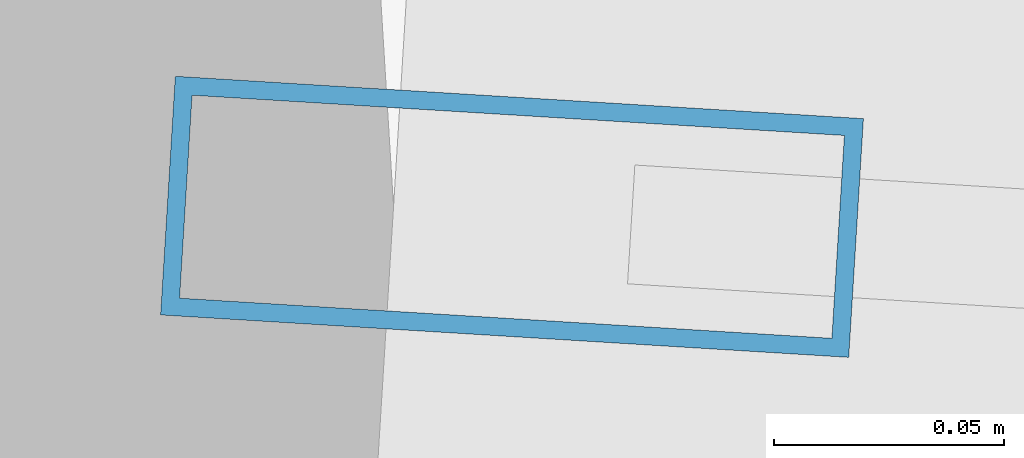
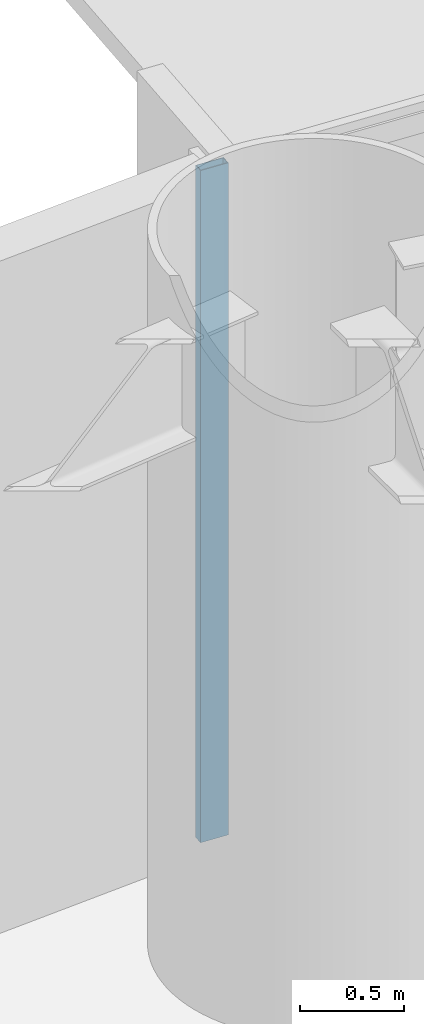
# One storey, part 4 of 21: 1 member, 1 element without a shape of its own.
"""IFC4 building model written with IfcOpenShell, lengths in metres."""

from ifc_helpers import new_model, si_unit, direction, frame, origin, origin_2d, place, context, subcontext, project, spatial, hollow_rectangle, extrude, source, transform, mapped, material, layer, layer_set, material_profile, profile_set, type_object, element, aggregate, save


model = new_model("IFC4")

# Units and contexts
model_context = context("Model", 3, precision=1e-05, world=origin(), true_north=direction((0.0, 1.0)))
body_context = subcontext(model_context, "Body", "Model", "MODEL_VIEW")
ifc_project = project(units=[si_unit("LENGTHUNIT", "METRE"), si_unit("AREAUNIT", "SQUARE_METRE"), si_unit("VOLUMEUNIT", "CUBIC_METRE"), si_unit("PLANEANGLEUNIT", "RADIAN"), si_unit("MASSUNIT", "GRAM", prefix="KILO")], contexts=[model_context])

# Site, building, storey
site_placement = place(None, origin())
site = spatial("IfcSite", under=ifc_project, at=site_placement, CompositionType="ELEMENT")
building_placement = place(site_placement, origin())
building = spatial("IfcBuilding", under=site, at=building_placement, Name="Linh Dai School and Residence Tower", CompositionType="ELEMENT")
storey_placement = place(building_placement, frame((0.0, 0.0, 61.800048828125)))
storey = spatial("IfcBuildingStorey", under=building, at=storey_placement, Name="L14", CompositionType="ELEMENT", Elevation=61.800048828125)

# Curtain wall, member
ifc_material_1 = material(Name="Aluminium Anodised Curtain Wall", Category="aluminium")
ifc_layer = layer(ifc_material_1, 0.14990234375)
ifc_layer_set = layer_set([ifc_layer], Name="Aluminium Anodised Curtain Wall")
curtain_wall_type = type_object("IfcCurtainWallType", Name="CW-SYS-4", PredefinedType="USERDEFINED", material=ifc_layer_set)
curtain_wall_placement = place(storey_placement, origin())
curtain_wall = element("IfcCurtainWall", 1, at=curtain_wall_placement, inside=storey, type_object=curtain_wall_type, Name="L14 CW4 Curtain Wall 10", ObjectType="RIBBON CURTAIN WALL", PredefinedType="USERDEFINED")
ifc_material_2 = material(Name="Aluminium Alloy 6063-T6", Category="aluminium")
ifc_material_profile = material_profile(ifc_material_2, hollow_rectangle(XDim=0.052001953125, YDim=0.14990234375, WallThickness=0.00390625, at=origin_2d()), Name="RHS 150x52x4")
ifc_profile_set = profile_set([ifc_material_profile], Name="Aluminium Alloy 6063-T6")
member_type = type_object("IfcMemberType", Name="CW-SYS-4-MUL", PredefinedType="MULLION", material=ifc_profile_set)
shared_shape = source(origin(), body_context, "Body", "SweptSolid", [
    extrude(hollow_rectangle(XDim=0.052001953125, YDim=0.14990234375, WallThickness=0.00390625, at=origin_2d()), origin(), (0.0, 0.0, 1.0), 3.949951171875),
])
member_placement = place(storey_placement, frame((36.02587890625, 51.303466796875, 0.0), z_axis=(0.0, 0.0, 1.0), x_axis=(0.061506595367, 0.998106677027, 0.0)))
member = element("IfcMember", 2, at=member_placement, type_object=member_type, Name="CW4 mullion 1", PredefinedType="MULLION", context=body_context, shape_type="MappedRepresentation", body=[
    mapped(shared_shape, transform((0.0, 0.0, 0.0), x_axis=(1.0, 0.0, 0.0), y_axis=(0.0, 1.0, 0.0), z_axis=(0.0, 0.0, 1.0), scale=1.0)),
])
aggregate(curtain_wall, [member])

save(model, "model.ifc")
